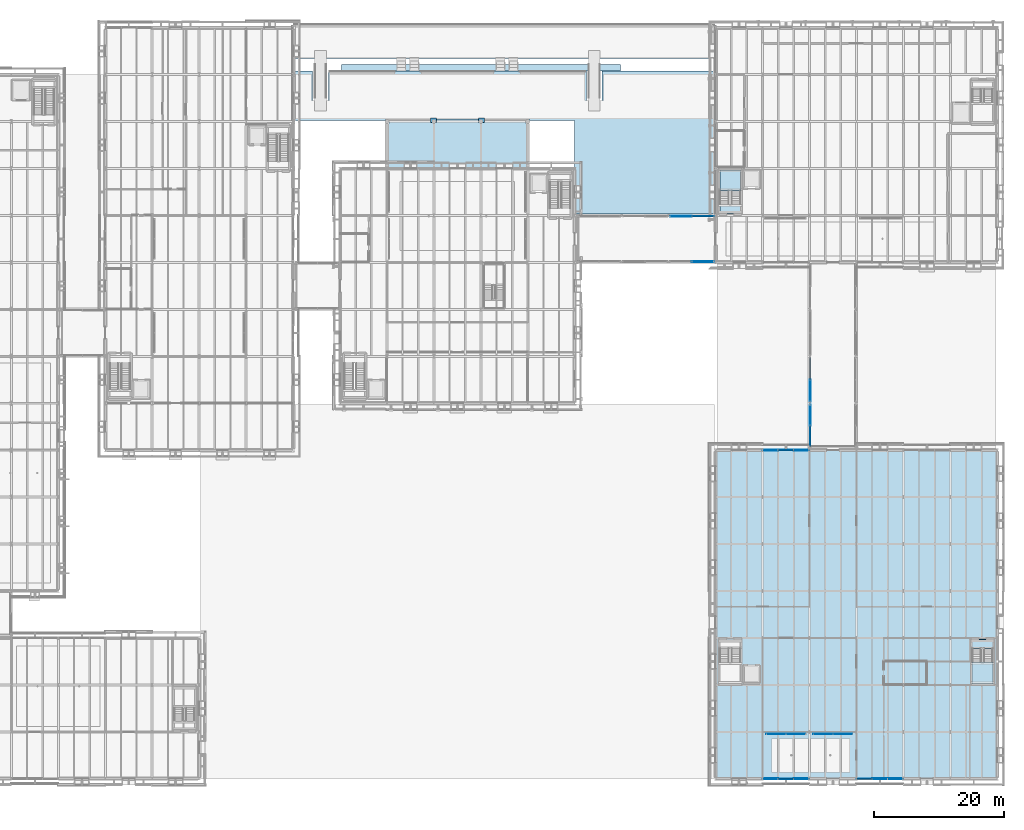
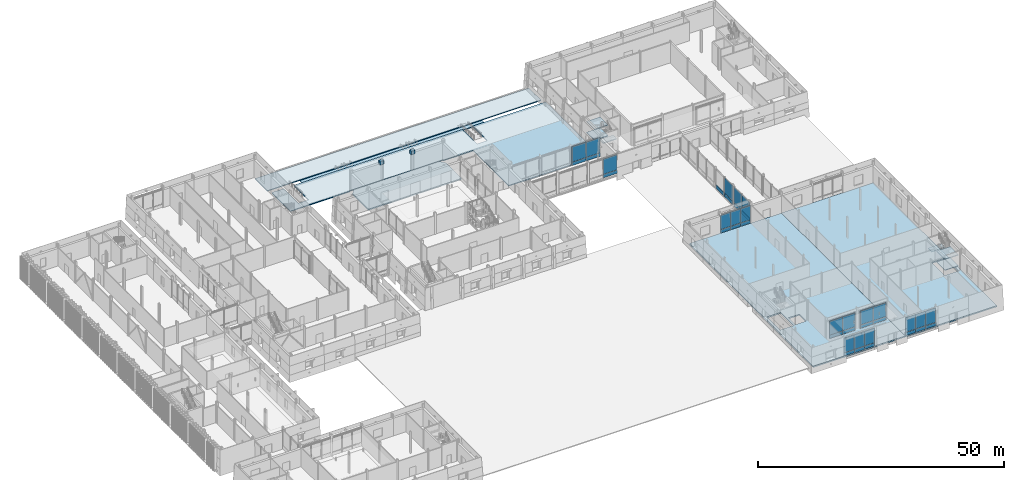
# One storey, part 62 of 120: 41 plates, 12 slabs, 11 elements without a shape of their own.
"""IFC4 building model written with IfcOpenShell, lengths in metres."""

from ifc_helpers import new_model, si_unit, direction, frame, origin, origin_2d, place, context, subcontext, project, spatial, polyline, rectangle, outline, extrude, material, layer, layer_set, type_object, element, aggregate, save


model = new_model("IFC4")

# Units and contexts
model_context = context("Model", 3, precision=1e-05, world=origin(), true_north=direction((0.0, 1.0)))
body_context = subcontext(model_context, "Body", "Model", "MODEL_VIEW")
ifc_project = project(units=[si_unit("LENGTHUNIT", "METRE"), si_unit("AREAUNIT", "SQUARE_METRE"), si_unit("VOLUMEUNIT", "CUBIC_METRE"), si_unit("PLANEANGLEUNIT", "RADIAN"), si_unit("MASSUNIT", "GRAM", prefix="KILO")], contexts=[model_context])

# Site, building, storey
site_placement = place(None, origin())
site = spatial("IfcSite", under=ifc_project, at=site_placement, CompositionType="ELEMENT")
building_placement = place(site_placement, origin())
building = spatial("IfcBuilding", under=site, at=building_placement, Name="Narikvali Park Central Library", CompositionType="ELEMENT")
storey_placement = place(building_placement, origin())
storey = spatial("IfcBuildingStorey", under=building, at=storey_placement, Name="L00", CompositionType="ELEMENT", Elevation=0.0)

# Slab
ifc_material_1 = material(Name="Concrete C35/45", Category="concrete")
ifc_layer_1 = layer(ifc_material_1, 0.179931640625, Name="Concrete C35/45")
ifc_layer_set_1 = layer_set([ifc_layer_1], Name="Concrete C35/45")
slab_type_1 = type_object("IfcSlabType", Name="Boulevard Lower Plinth Paving Slab 180", PredefinedType="USERDEFINED", material=ifc_layer_set_1)
slab_1_placement = place(storey_placement, frame((0.0, 0.0, -0.905029296875)))
element("IfcSlab", 1, at=slab_1_placement, inside=storey, type_object=slab_type_1, Name="Boulevard Grounded Forecourt Lower Promenade", ObjectType="PAVING", PredefinedType="USERDEFINED", context=body_context, shape_type="SweptSolid", body=[
    extrude(outline(polyline([(57.800048828125, 110.449951171875), (122.199951171875, 110.449951171875), (122.199951171875, 115.449951171875), (57.800048828125, 115.449951171875), (57.800048828125, 110.449951171875)])), origin(), (0.0, 0.0, 1.0), 0.179931640625),
])

# Curtain wall, plate
ifc_material_2 = material(Name="Anodised Bronze Aluminium", Category="aluminium")
ifc_layer_2 = layer(ifc_material_2, 0.219970703125, Name="Anodised Bronze Aluminium")
ifc_layer_set_2 = layer_set([ifc_layer_2], Name="Anodised Bronze Aluminium")
curtain_wall_type_1 = type_object("IfcCurtainWallType", Name="Park Cafe Colonnade Glazing System", PredefinedType="NOTDEFINED", material=ifc_layer_set_2)
curtain_wall_1_placement = place(storey_placement, origin())
curtain_wall_1 = element("IfcCurtainWall", 2, at=curtain_wall_1_placement, inside=storey, type_object=curtain_wall_type_1, Name="Park Cafe Colonnade Glazing System CW-V6-L00-S-02", PredefinedType="NOTDEFINED")
ifc_material_3 = material(Name="Anodised Bronze Acoustic Spandrel Cassette")
ifc_layer_3 = layer(ifc_material_3, 0.1650390625, Name="Anodised Bronze Acoustic Spandrel Cassette")
ifc_layer_set_3 = layer_set([ifc_layer_3], Name="Anodised Bronze Acoustic Spandrel Cassette")
plate_type_1 = type_object("IfcPlateType", Name="Curtain Wall Acoustic Plenum Louvre Cassette 165", PredefinedType="CURTAIN_PANEL", material=ifc_layer_set_3)
plate_1_placement = place(storey_placement, frame((133.199951171875, 0.0, 0.03515625), z_axis=(0.0, 0.0, 1.0), x_axis=(1.0, 0.0, 0.0)))
plate_1 = element("IfcPlate", 3, at=plate_1_placement, type_object=plate_type_1, Name="CW-V6-L00-S-02 Panel 01-0", PredefinedType="CURTAIN_PANEL", context=body_context, shape_type="SweptSolid", body=[
    extrude(rectangle(XDim=2.36474609375, YDim=0.1650390625, at=origin_2d()), origin(), (0.0, 0.0, 1.0), 0.860107421875),
])

curtain_wall_2_placement = place(storey_placement, origin())
curtain_wall_2 = element("IfcCurtainWall", 4, at=curtain_wall_2_placement, inside=storey, type_object=curtain_wall_type_1, Name="Park Cafe Colonnade Glazing System CW-V6-L00-S-04", PredefinedType="NOTDEFINED")
plate_2_placement = place(storey_placement, frame((145.225341796875, 0.0, 0.03515625), z_axis=(0.0, 0.0, 1.0), x_axis=(1.0, 0.0, 0.0)))
plate_2 = element("IfcPlate", 5, at=plate_2_placement, type_object=plate_type_1, Name="CW-V6-L00-S-04 Panel 00-0", PredefinedType="CURTAIN_PANEL", context=body_context, shape_type="SweptSolid", body=[
    extrude(rectangle(XDim=2.36474609375, YDim=0.1650390625, at=origin_2d()), origin(), (0.0, 0.0, 1.0), 0.860107421875),
])

curtain_wall_3_placement = place(storey_placement, origin())
curtain_wall_3 = element("IfcCurtainWall", 6, at=curtain_wall_3_placement, inside=storey, type_object=curtain_wall_type_1, Name="Park Cafe Colonnade Glazing System CW-V6-L00-N-05", PredefinedType="NOTDEFINED")
plate_3_placement = place(storey_placement, frame((133.199951171875, 50.39990234375, 0.03515625), z_axis=(0.0, 0.0, 1.0), x_axis=(-1.0, 0.0, 0.0)))
plate_3 = element("IfcPlate", 7, at=plate_3_placement, type_object=plate_type_1, Name="CW-V6-L00-N-05 Panel 01-0", PredefinedType="CURTAIN_PANEL", context=body_context, shape_type="SweptSolid", body=[
    extrude(rectangle(XDim=2.36474609375, YDim=0.1650390625, at=origin_2d()), origin(), (0.0, 0.0, 1.0), 0.860107421875),
])

ifc_layer_4 = layer(ifc_material_2, 0.219970703125, Name="Anodised Bronze Aluminium")
ifc_layer_set_4 = layer_set([ifc_layer_4], Name="Anodised Bronze Aluminium")
curtain_wall_type_2 = type_object("IfcCurtainWallType", Name="Bridge Covered Passage Glazing System", PredefinedType="NOTDEFINED", material=ifc_layer_set_4)
curtain_wall_4_placement = place(storey_placement, origin())
curtain_wall_4 = element("IfcCurtainWall", 8, at=curtain_wall_4_placement, inside=storey, type_object=curtain_wall_type_2, Name="Bridge Covered Passage Glazing System CW-BRG-3-L00-N3", PredefinedType="NOTDEFINED")
plate_4_placement = place(storey_placement, frame((120.43505859375, 86.280029296875, 0.03515625), z_axis=(0.0, 0.0, 1.0), x_axis=(1.0, 0.0, 0.0)))
plate_4 = element("IfcPlate", 9, at=plate_4_placement, type_object=plate_type_1, Name="CW-BRG-3-L00-N3 Panel 01-0", PredefinedType="CURTAIN_PANEL", context=body_context, shape_type="SweptSolid", body=[
    extrude(rectangle(XDim=3.320068359375, YDim=0.1650390625, at=origin_2d()), origin(), (0.0, 0.0, 1.0), 0.860107421875),
])

curtain_wall_5_placement = place(storey_placement, origin())
curtain_wall_5 = element("IfcCurtainWall", 10, at=curtain_wall_5_placement, inside=storey, type_object=curtain_wall_type_2, Name="Bridge Covered Passage Glazing System CW-BRG-4-L00-W1", PredefinedType="NOTDEFINED")
plate_5_placement = place(storey_placement, frame((136.919921875, 52.552490234375, 0.03515625), z_axis=(0.0, 0.0, 1.0), x_axis=(0.0, 1.0, 0.0)))
plate_5 = element("IfcPlate", 11, at=plate_5_placement, type_object=plate_type_1, Name="CW-BRG-4-L00-W1 Panel 00-0", PredefinedType="CURTAIN_PANEL", context=body_context, shape_type="SweptSolid", body=[
    extrude(rectangle(XDim=3.195068359375, YDim=0.1650390625, at=origin_2d()), origin(), (0.0, 0.0, 1.0), 0.860107421875),
])

curtain_wall_6_placement = place(storey_placement, origin())
curtain_wall_6 = element("IfcCurtainWall", 12, at=curtain_wall_6_placement, inside=storey, type_object=curtain_wall_type_2, Name="Bridge Covered Passage Glazing System CW-BRG-4-L00-W2", PredefinedType="NOTDEFINED")
plate_6_placement = place(storey_placement, frame((136.919921875, 62.8798828125, 0.03515625), z_axis=(0.0, 0.0, 1.0), x_axis=(0.0, 1.0, 0.0)))
plate_6 = element("IfcPlate", 13, at=plate_6_placement, type_object=plate_type_1, Name="CW-BRG-4-L00-W2 Panel 01-0", PredefinedType="CURTAIN_PANEL", context=body_context, shape_type="SweptSolid", body=[
    extrude(rectangle(XDim=3.35009765625, YDim=0.1650390625, at=origin_2d()), origin(), (0.0, 0.0, 1.0), 0.860107421875),
])

# Plate
ifc_material_4 = material(Name="Heavy Acoustic Laminated Clerestory Glazing", Category="glass")
ifc_layer_5 = layer(ifc_material_4, 0.06396484375, Name="Heavy Acoustic Laminated Clerestory Glazing")
ifc_layer_set_5 = layer_set([ifc_layer_5], Name="Heavy Acoustic Laminated Clerestory Glazing")
plate_type_2 = type_object("IfcPlateType", Name="Curtain Wall Clerestory Laminated Acoustic Glass 64", PredefinedType="CURTAIN_PANEL", material=ifc_layer_set_5)
plate_7_placement = place(storey_placement, frame((130.8251953125, 0.0, 0.905029296875), z_axis=(0.0, 0.0, 1.0), x_axis=(1.0, 0.0, 0.0)))
plate_7 = element("IfcPlate", 14, at=plate_7_placement, type_object=plate_type_2, Name="CW-V6-L00-S-02 Panel 00-1", PredefinedType="CURTAIN_PANEL", context=body_context, shape_type="SweptSolid", body=[
    extrude(rectangle(XDim=2.36474609375, YDim=0.06396484375, at=origin_2d()), origin(), (0.0, 0.0, 1.0), 3.56005859375),
])

plate_8_placement = place(storey_placement, frame((133.199951171875, 0.0, 0.905029296875), z_axis=(0.0, 0.0, 1.0), x_axis=(1.0, 0.0, 0.0)))
plate_8 = element("IfcPlate", 15, at=plate_8_placement, type_object=plate_type_2, Name="CW-V6-L00-S-02 Panel 01-1", PredefinedType="CURTAIN_PANEL", context=body_context, shape_type="SweptSolid", body=[
    extrude(rectangle(XDim=2.36474609375, YDim=0.06396484375, at=origin_2d()), origin(), (0.0, 0.0, 1.0), 3.56005859375),
])

plate_9_placement = place(storey_placement, frame((135.57470703125, 0.0, 0.905029296875), z_axis=(0.0, 0.0, 1.0), x_axis=(1.0, 0.0, 0.0)))
plate_9 = element("IfcPlate", 16, at=plate_9_placement, type_object=plate_type_2, Name="CW-V6-L00-S-02 Panel 02-1", PredefinedType="CURTAIN_PANEL", context=body_context, shape_type="SweptSolid", body=[
    extrude(rectangle(XDim=2.36474609375, YDim=0.06396484375, at=origin_2d()), origin(), (0.0, 0.0, 1.0), 3.56005859375),
])

plate_10_placement = place(storey_placement, frame((135.57470703125, 50.39990234375, 0.905029296875), z_axis=(0.0, 0.0, 1.0), x_axis=(-1.0, 0.0, 0.0)))
plate_10 = element("IfcPlate", 17, at=plate_10_placement, type_object=plate_type_2, Name="CW-V6-L00-N-05 Panel 00-1", PredefinedType="CURTAIN_PANEL", context=body_context, shape_type="SweptSolid", body=[
    extrude(rectangle(XDim=2.36474609375, YDim=0.06396484375, at=origin_2d()), origin(), (0.0, 0.0, 1.0), 3.56005859375),
])

plate_11_placement = place(storey_placement, frame((133.199951171875, 50.39990234375, 0.905029296875), z_axis=(0.0, 0.0, 1.0), x_axis=(-1.0, 0.0, 0.0)))
plate_11 = element("IfcPlate", 18, at=plate_11_placement, type_object=plate_type_2, Name="CW-V6-L00-N-05 Panel 01-1", PredefinedType="CURTAIN_PANEL", context=body_context, shape_type="SweptSolid", body=[
    extrude(rectangle(XDim=2.36474609375, YDim=0.06396484375, at=origin_2d()), origin(), (0.0, 0.0, 1.0), 3.56005859375),
])

plate_12_placement = place(storey_placement, frame((130.8251953125, 50.39990234375, 0.905029296875), z_axis=(0.0, 0.0, 1.0), x_axis=(-1.0, 0.0, 0.0)))
plate_12 = element("IfcPlate", 19, at=plate_12_placement, type_object=plate_type_2, Name="CW-V6-L00-N-05 Panel 02-1", PredefinedType="CURTAIN_PANEL", context=body_context, shape_type="SweptSolid", body=[
    extrude(rectangle(XDim=2.36474609375, YDim=0.06396484375, at=origin_2d()), origin(), (0.0, 0.0, 1.0), 3.56005859375),
])

plate_13_placement = place(storey_placement, frame((117.10498046875, 86.280029296875, 0.905029296875), z_axis=(0.0, 0.0, 1.0), x_axis=(1.0, 0.0, 0.0)))
plate_13 = element("IfcPlate", 20, at=plate_13_placement, type_object=plate_type_2, Name="CW-BRG-3-L00-N3 Panel 00-1", PredefinedType="CURTAIN_PANEL", context=body_context, shape_type="SweptSolid", body=[
    extrude(rectangle(XDim=3.320068359375, YDim=0.06396484375, at=origin_2d()), origin(), (0.0, 0.0, 1.0), 3.81005859375),
])

plate_14_placement = place(storey_placement, frame((120.43505859375, 86.280029296875, 0.905029296875), z_axis=(0.0, 0.0, 1.0), x_axis=(1.0, 0.0, 0.0)))
plate_14 = element("IfcPlate", 21, at=plate_14_placement, type_object=plate_type_2, Name="CW-BRG-3-L00-N3 Panel 01-1", PredefinedType="CURTAIN_PANEL", context=body_context, shape_type="SweptSolid", body=[
    extrude(rectangle(XDim=3.320068359375, YDim=0.06396484375, at=origin_2d()), origin(), (0.0, 0.0, 1.0), 3.81005859375),
])

plate_15_placement = place(storey_placement, frame((136.919921875, 59.52001953125, 0.905029296875), z_axis=(0.0, 0.0, 1.0), x_axis=(0.0, 1.0, 0.0)))
plate_15 = element("IfcPlate", 22, at=plate_15_placement, type_object=plate_type_2, Name="CW-BRG-4-L00-W2 Panel 00-1", PredefinedType="CURTAIN_PANEL", context=body_context, shape_type="SweptSolid", body=[
    extrude(rectangle(XDim=3.35009765625, YDim=0.06396484375, at=origin_2d()), origin(), (0.0, 0.0, 1.0), 3.81005859375),
])

# Curtain wall, plates
ifc_layer_6 = layer(ifc_material_2, 0.219970703125, Name="Anodised Bronze Aluminium")
ifc_layer_set_6 = layer_set([ifc_layer_6], Name="Anodised Bronze Aluminium")
curtain_wall_type_3 = type_object("IfcCurtainWallType", Name="Atrium Tall Curtain Wall System", PredefinedType="NOTDEFINED", material=ifc_layer_set_6)
curtain_wall_7_placement = place(storey_placement, origin())
curtain_wall_7 = element("IfcCurtainWall", 23, at=curtain_wall_7_placement, inside=storey, type_object=curtain_wall_type_3, Name="Atrium Tall Curtain Wall System CW-GAL-V6-L00-GAL-S2", PredefinedType="NOTDEFINED")
plate_16_placement = place(storey_placement, frame((138.89990234375, 6.85009765625, 0.905029296875), z_axis=(0.0, 0.0, 1.0), x_axis=(1.0, 0.0, 0.0)))
plate_16 = element("IfcPlate", 24, at=plate_16_placement, type_object=plate_type_2, Name="CW-GAL-V6-L00-GAL-S2 Panel 00-1", PredefinedType="CURTAIN_PANEL", context=body_context, shape_type="SweptSolid", body=[
    extrude(rectangle(XDim=2.989990234375, YDim=0.06396484375, at=origin_2d()), origin(), (0.0, 0.0, 1.0), 3.4599609375),
])
plate_17_placement = place(storey_placement, frame((141.89990234375, 6.85009765625, 0.905029296875), z_axis=(0.0, 0.0, 1.0), x_axis=(1.0, 0.0, 0.0)))
plate_17 = element("IfcPlate", 25, at=plate_17_placement, type_object=plate_type_2, Name="CW-GAL-V6-L00-GAL-S2 Panel 01-1", PredefinedType="CURTAIN_PANEL", context=body_context, shape_type="SweptSolid", body=[
    extrude(rectangle(XDim=2.989990234375, YDim=0.06396484375, at=origin_2d()), origin(), (0.0, 0.0, 1.0), 3.4599609375),
])

# Plate
ifc_material_5 = material(Name="Double Low-E Tempered Vision Glazing", Category="glass")
ifc_layer_7 = layer(ifc_material_5, 0.035888671875, Name="Double Low-E Tempered Vision Glazing")
ifc_layer_set_7 = layer_set([ifc_layer_7], Name="Double Low-E Tempered Vision Glazing")
plate_type_3 = type_object("IfcPlateType", Name="Curtain Wall Double Low-E Vision Glazing 36", PredefinedType="CURTAIN_PANEL", material=ifc_layer_set_7)
plate_18_placement = place(storey_placement, frame((145.225341796875, 0.0, 0.905029296875), z_axis=(0.0, 0.0, 1.0), x_axis=(1.0, 0.0, 0.0)))
plate_18 = element("IfcPlate", 26, at=plate_18_placement, type_object=plate_type_3, Name="CW-V6-L00-S-04 Panel 00-1", PredefinedType="CURTAIN_PANEL", context=body_context, shape_type="SweptSolid", body=[
    extrude(rectangle(XDim=2.36474609375, YDim=0.035888671875, at=origin_2d()), origin(), (0.0, 0.0, 1.0), 3.56005859375),
])

plate_19_placement = place(storey_placement, frame((147.60009765625, 0.0, 0.905029296875), z_axis=(0.0, 0.0, 1.0), x_axis=(1.0, 0.0, 0.0)))
plate_19 = element("IfcPlate", 27, at=plate_19_placement, type_object=plate_type_3, Name="CW-V6-L00-S-04 Panel 01-1", PredefinedType="CURTAIN_PANEL", context=body_context, shape_type="SweptSolid", body=[
    extrude(rectangle(XDim=2.36474609375, YDim=0.035888671875, at=origin_2d()), origin(), (0.0, 0.0, 1.0), 3.56005859375),
])

plate_20_placement = place(storey_placement, frame((149.974609375, 0.0, 0.905029296875), z_axis=(0.0, 0.0, 1.0), x_axis=(1.0, 0.0, 0.0)))
plate_20 = element("IfcPlate", 28, at=plate_20_placement, type_object=plate_type_3, Name="CW-V6-L00-S-04 Panel 02-1", PredefinedType="CURTAIN_PANEL", context=body_context, shape_type="SweptSolid", body=[
    extrude(rectangle(XDim=2.36474609375, YDim=0.035888671875, at=origin_2d()), origin(), (0.0, 0.0, 1.0), 3.56005859375),
])

plate_21_placement = place(storey_placement, frame((136.919921875, 52.552490234375, 0.905029296875), z_axis=(0.0, 0.0, 1.0), x_axis=(0.0, 1.0, 0.0)))
plate_21 = element("IfcPlate", 29, at=plate_21_placement, type_object=plate_type_3, Name="CW-BRG-4-L00-W1 Panel 00-1", PredefinedType="CURTAIN_PANEL", context=body_context, shape_type="SweptSolid", body=[
    extrude(rectangle(XDim=3.195068359375, YDim=0.035888671875, at=origin_2d()), origin(), (0.0, 0.0, 1.0), 3.81005859375),
])

plate_22_placement = place(storey_placement, frame((136.919921875, 55.757568359375, 0.905029296875), z_axis=(0.0, 0.0, 1.0), x_axis=(0.0, 1.0, 0.0)))
plate_22 = element("IfcPlate", 30, at=plate_22_placement, type_object=plate_type_3, Name="CW-BRG-4-L00-W1 Panel 01-1", PredefinedType="CURTAIN_PANEL", context=body_context, shape_type="SweptSolid", body=[
    extrude(rectangle(XDim=3.195068359375, YDim=0.035888671875, at=origin_2d()), origin(), (0.0, 0.0, 1.0), 3.81005859375),
])

# Curtain wall, plates
curtain_wall_8_placement = place(storey_placement, origin())
curtain_wall_8 = element("IfcCurtainWall", 31, at=curtain_wall_8_placement, inside=storey, type_object=curtain_wall_type_3, Name="Atrium Tall Curtain Wall System CW-GAL-V6-L00-GAL-S1", PredefinedType="NOTDEFINED")
plate_23_placement = place(storey_placement, frame((131.699951171875, 6.85009765625, 0.03515625), z_axis=(0.0, 0.0, 1.0), x_axis=(1.0, 0.0, 0.0)))
plate_23 = element("IfcPlate", 32, at=plate_23_placement, type_object=plate_type_3, Name="CW-GAL-V6-L00-GAL-S1 Panel 00-0", PredefinedType="CURTAIN_PANEL", context=body_context, shape_type="SweptSolid", body=[
    extrude(rectangle(XDim=2.989990234375, YDim=0.035888671875, at=origin_2d()), origin(), (0.0, 0.0, 1.0), 0.860107421875),
])
plate_24_placement = place(storey_placement, frame((134.699951171875, 6.85009765625, 0.03515625), z_axis=(0.0, 0.0, 1.0), x_axis=(1.0, 0.0, 0.0)))
plate_24 = element("IfcPlate", 33, at=plate_24_placement, type_object=plate_type_3, Name="CW-GAL-V6-L00-GAL-S1 Panel 01-0", PredefinedType="CURTAIN_PANEL", context=body_context, shape_type="SweptSolid", body=[
    extrude(rectangle(XDim=2.989990234375, YDim=0.035888671875, at=origin_2d()), origin(), (0.0, 0.0, 1.0), 0.860107421875),
])

# Plate
ifc_material_6 = material(Name="Anodised Bronze Insulated Spandrel Cassette")
ifc_layer_8 = layer(ifc_material_6, 0.110107421875, Name="Anodised Bronze Insulated Spandrel Cassette")
ifc_layer_set_8 = layer_set([ifc_layer_8], Name="Anodised Bronze Insulated Spandrel Cassette")
plate_type_4 = type_object("IfcPlateType", Name="Curtain Wall Insulated Bronze Spandrel Cassette 110", PredefinedType="CURTAIN_PANEL", material=ifc_layer_set_8)
plate_25_placement = place(storey_placement, frame((135.57470703125, 0.0, 0.03515625), z_axis=(0.0, 0.0, 1.0), x_axis=(1.0, 0.0, 0.0)))
plate_25 = element("IfcPlate", 34, at=plate_25_placement, type_object=plate_type_4, Name="CW-V6-L00-S-02 Panel 02-0", PredefinedType="CURTAIN_PANEL", context=body_context, shape_type="SweptSolid", body=[
    extrude(rectangle(XDim=2.36474609375, YDim=0.110107421875, at=origin_2d()), origin(), (0.0, 0.0, 1.0), 0.860107421875),
])

plate_26_placement = place(storey_placement, frame((147.60009765625, 0.0, 0.03515625), z_axis=(0.0, 0.0, 1.0), x_axis=(1.0, 0.0, 0.0)))
plate_26 = element("IfcPlate", 35, at=plate_26_placement, type_object=plate_type_4, Name="CW-V6-L00-S-04 Panel 01-0", PredefinedType="CURTAIN_PANEL", context=body_context, shape_type="SweptSolid", body=[
    extrude(rectangle(XDim=2.36474609375, YDim=0.110107421875, at=origin_2d()), origin(), (0.0, 0.0, 1.0), 0.860107421875),
])

plate_27_placement = place(storey_placement, frame((130.8251953125, 50.39990234375, 0.03515625), z_axis=(0.0, 0.0, 1.0), x_axis=(-1.0, 0.0, 0.0)))
plate_27 = element("IfcPlate", 36, at=plate_27_placement, type_object=plate_type_4, Name="CW-V6-L00-N-05 Panel 02-0", PredefinedType="CURTAIN_PANEL", context=body_context, shape_type="SweptSolid", body=[
    extrude(rectangle(XDim=2.36474609375, YDim=0.110107421875, at=origin_2d()), origin(), (0.0, 0.0, 1.0), 0.860107421875),
])

plate_28_placement = place(storey_placement, frame((136.919921875, 55.757568359375, 0.03515625), z_axis=(0.0, 0.0, 1.0), x_axis=(0.0, 1.0, 0.0)))
plate_28 = element("IfcPlate", 37, at=plate_28_placement, type_object=plate_type_4, Name="CW-BRG-4-L00-W1 Panel 01-0", PredefinedType="CURTAIN_PANEL", context=body_context, shape_type="SweptSolid", body=[
    extrude(rectangle(XDim=3.195068359375, YDim=0.110107421875, at=origin_2d()), origin(), (0.0, 0.0, 1.0), 0.860107421875),
])

aggregate(curtain_wall_5, [plate_5, plate_21, plate_28, plate_22])

ifc_material_7 = material(Name="Mineral-Wool Shadow-Box Spandrel Assembly")
ifc_layer_9 = layer(ifc_material_7, 0.139892578125, Name="Mineral-Wool Shadow-Box Spandrel Assembly")
ifc_layer_set_9 = layer_set([ifc_layer_9], Name="Mineral-Wool Shadow-Box Spandrel Assembly")
plate_type_5 = type_object("IfcPlateType", Name="Curtain Wall Shadow-Box Mineral Spandrel Panel 140", PredefinedType="CURTAIN_PANEL", material=ifc_layer_set_9)
plate_29_placement = place(storey_placement, frame((130.8251953125, 0.0, 0.03515625), z_axis=(0.0, 0.0, 1.0), x_axis=(1.0, 0.0, 0.0)))
plate_29 = element("IfcPlate", 38, at=plate_29_placement, type_object=plate_type_5, Name="CW-V6-L00-S-02 Panel 00-0", PredefinedType="CURTAIN_PANEL", context=body_context, shape_type="SweptSolid", body=[
    extrude(rectangle(XDim=2.36474609375, YDim=0.139892578125, at=origin_2d()), origin(), (0.0, 0.0, 1.0), 0.860107421875),
])

aggregate(curtain_wall_1, [plate_29, plate_7, plate_1, plate_8, plate_25, plate_9])

plate_30_placement = place(storey_placement, frame((149.974609375, 0.0, 0.03515625), z_axis=(0.0, 0.0, 1.0), x_axis=(1.0, 0.0, 0.0)))
plate_30 = element("IfcPlate", 39, at=plate_30_placement, type_object=plate_type_5, Name="CW-V6-L00-S-04 Panel 02-0", PredefinedType="CURTAIN_PANEL", context=body_context, shape_type="SweptSolid", body=[
    extrude(rectangle(XDim=2.36474609375, YDim=0.139892578125, at=origin_2d()), origin(), (0.0, 0.0, 1.0), 0.860107421875),
])

aggregate(curtain_wall_2, [plate_2, plate_18, plate_26, plate_19, plate_30, plate_20])

plate_31_placement = place(storey_placement, frame((135.57470703125, 50.39990234375, 0.03515625), z_axis=(0.0, 0.0, 1.0), x_axis=(-1.0, 0.0, 0.0)))
plate_31 = element("IfcPlate", 40, at=plate_31_placement, type_object=plate_type_5, Name="CW-V6-L00-N-05 Panel 00-0", PredefinedType="CURTAIN_PANEL", context=body_context, shape_type="SweptSolid", body=[
    extrude(rectangle(XDim=2.36474609375, YDim=0.139892578125, at=origin_2d()), origin(), (0.0, 0.0, 1.0), 0.860107421875),
])

aggregate(curtain_wall_3, [plate_31, plate_10, plate_3, plate_11, plate_27, plate_12])

# Curtain wall, plate
curtain_wall_9_placement = place(storey_placement, origin())
curtain_wall_9 = element("IfcCurtainWall", 41, at=curtain_wall_9_placement, inside=storey, type_object=curtain_wall_type_2, Name="Bridge Covered Passage Glazing System CW-BRG-3-L00-S3", PredefinedType="NOTDEFINED")
plate_32_placement = place(storey_placement, frame((120.43505859375, 79.320068359375, 0.03515625), z_axis=(0.0, 0.0, 1.0), x_axis=(1.0, 0.0, 0.0)))
plate_32 = element("IfcPlate", 42, at=plate_32_placement, type_object=plate_type_5, Name="CW-BRG-3-L00-S3 Panel 01-0", PredefinedType="CURTAIN_PANEL", context=body_context, shape_type="SweptSolid", body=[
    extrude(rectangle(XDim=3.320068359375, YDim=0.139892578125, at=origin_2d()), origin(), (0.0, 0.0, 1.0), 0.860107421875),
])

# Plate
plate_33_placement = place(storey_placement, frame((117.10498046875, 86.280029296875, 0.03515625), z_axis=(0.0, 0.0, 1.0), x_axis=(1.0, 0.0, 0.0)))
plate_33 = element("IfcPlate", 43, at=plate_33_placement, type_object=plate_type_5, Name="CW-BRG-3-L00-N3 Panel 00-0", PredefinedType="CURTAIN_PANEL", context=body_context, shape_type="SweptSolid", body=[
    extrude(rectangle(XDim=3.320068359375, YDim=0.139892578125, at=origin_2d()), origin(), (0.0, 0.0, 1.0), 0.860107421875),
])

aggregate(curtain_wall_4, [plate_33, plate_13, plate_4, plate_14])

plate_34_placement = place(storey_placement, frame((136.919921875, 59.52001953125, 0.03515625), z_axis=(0.0, 0.0, 1.0), x_axis=(0.0, 1.0, 0.0)))
plate_34 = element("IfcPlate", 44, at=plate_34_placement, type_object=plate_type_5, Name="CW-BRG-4-L00-W2 Panel 00-0", PredefinedType="CURTAIN_PANEL", context=body_context, shape_type="SweptSolid", body=[
    extrude(rectangle(XDim=3.35009765625, YDim=0.139892578125, at=origin_2d()), origin(), (0.0, 0.0, 1.0), 0.860107421875),
])

aggregate(curtain_wall_6, [plate_34, plate_15, plate_6])

ifc_material_8 = material(Name="Triple Low-E Acoustic Laminated Glazing", Category="glass")
ifc_layer_10 = layer(ifc_material_8, 0.048095703125, Name="Triple Low-E Acoustic Laminated Glazing")
ifc_layer_set_10 = layer_set([ifc_layer_10], Name="Triple Low-E Acoustic Laminated Glazing")
plate_type_6 = type_object("IfcPlateType", Name="Curtain Wall Triple Solar-Acoustic Glazing 48", PredefinedType="CURTAIN_PANEL", material=ifc_layer_set_10)
plate_35_placement = place(storey_placement, frame((120.43505859375, 79.320068359375, 0.905029296875), z_axis=(0.0, 0.0, 1.0), x_axis=(1.0, 0.0, 0.0)))
plate_35 = element("IfcPlate", 45, at=plate_35_placement, type_object=plate_type_6, Name="CW-BRG-3-L00-S3 Panel 01-1", PredefinedType="CURTAIN_PANEL", context=body_context, shape_type="SweptSolid", body=[
    extrude(rectangle(XDim=3.320068359375, YDim=0.048095703125, at=origin_2d()), origin(), (0.0, 0.0, 1.0), 3.81005859375),
])

aggregate(curtain_wall_9, [plate_32, plate_35])

plate_36_placement = place(storey_placement, frame((131.699951171875, 6.85009765625, 0.905029296875), z_axis=(0.0, 0.0, 1.0), x_axis=(1.0, 0.0, 0.0)))
plate_36 = element("IfcPlate", 46, at=plate_36_placement, type_object=plate_type_6, Name="CW-GAL-V6-L00-GAL-S1 Panel 00-1", PredefinedType="CURTAIN_PANEL", context=body_context, shape_type="SweptSolid", body=[
    extrude(rectangle(XDim=2.989990234375, YDim=0.048095703125, at=origin_2d()), origin(), (0.0, 0.0, 1.0), 3.4599609375),
])

plate_37_placement = place(storey_placement, frame((134.699951171875, 6.85009765625, 0.905029296875), z_axis=(0.0, 0.0, 1.0), x_axis=(1.0, 0.0, 0.0)))
plate_37 = element("IfcPlate", 47, at=plate_37_placement, type_object=plate_type_6, Name="CW-GAL-V6-L00-GAL-S1 Panel 01-1", PredefinedType="CURTAIN_PANEL", context=body_context, shape_type="SweptSolid", body=[
    extrude(rectangle(XDim=2.989990234375, YDim=0.048095703125, at=origin_2d()), origin(), (0.0, 0.0, 1.0), 3.4599609375),
])

aggregate(curtain_wall_8, [plate_23, plate_36, plate_24, plate_37])

plate_38_placement = place(storey_placement, frame((138.89990234375, 6.85009765625, 0.03515625), z_axis=(0.0, 0.0, 1.0), x_axis=(1.0, 0.0, 0.0)))
plate_38 = element("IfcPlate", 48, at=plate_38_placement, type_object=plate_type_6, Name="CW-GAL-V6-L00-GAL-S2 Panel 00-0", PredefinedType="CURTAIN_PANEL", context=body_context, shape_type="SweptSolid", body=[
    extrude(rectangle(XDim=2.989990234375, YDim=0.048095703125, at=origin_2d()), origin(), (0.0, 0.0, 1.0), 0.860107421875),
])

plate_39_placement = place(storey_placement, frame((141.89990234375, 6.85009765625, 0.03515625), z_axis=(0.0, 0.0, 1.0), x_axis=(1.0, 0.0, 0.0)))
plate_39 = element("IfcPlate", 49, at=plate_39_placement, type_object=plate_type_6, Name="CW-GAL-V6-L00-GAL-S2 Panel 01-0", PredefinedType="CURTAIN_PANEL", context=body_context, shape_type="SweptSolid", body=[
    extrude(rectangle(XDim=2.989990234375, YDim=0.048095703125, at=origin_2d()), origin(), (0.0, 0.0, 1.0), 0.860107421875),
])

aggregate(curtain_wall_7, [plate_38, plate_16, plate_39, plate_17])

# Slabs
ifc_layer_11 = layer(ifc_material_1, 0.195068359375, Name="Concrete C35/45")
ifc_layer_set_11 = layer_set([ifc_layer_11], Name="Concrete C35/45")
slab_type_2 = type_object("IfcSlabType", Name="Forecourt Step Paving Slab 195", PredefinedType="BASESLAB", material=ifc_layer_set_11)
slab_2_placement = place(storey_placement, frame((0.0, 0.0, -0.35498046875)))
element("IfcSlab", 50, at=slab_2_placement, inside=storey, type_object=slab_type_2, Name="Forecourt Stair Structural Sub-Slab", PredefinedType="BASESLAB", context=body_context, shape_type="SweptSolid", body=[
    extrude(outline(polyline([(65.0, 108.56005859375), (107.800048828125, 108.56005859375), (107.800048828125, 109.550048828125), (65.0, 109.550048828125), (65.0, 108.56005859375)])), origin(), (0.0, 0.0, 1.0), 0.195068359375),
])
ifc_layer_12 = layer(ifc_material_1, 0.219970703125, Name="Concrete C35/45")
ifc_layer_set_12 = layer_set([ifc_layer_12], Name="Concrete C35/45")
slab_type_3 = type_object("IfcSlabType", Name="Forecourt Stepped Terrace Slab 220", PredefinedType="USERDEFINED", material=ifc_layer_set_12)
slab_3_placement = place(storey_placement, frame((0.0, 0.0, -0.219970703125)))
element("IfcSlab", 51, at=slab_3_placement, inside=storey, type_object=slab_type_3, Name="Stepped Forecourt Upper Civic Terrace", ObjectType="PAVING", PredefinedType="USERDEFINED", context=body_context, shape_type="SweptSolid", body=[
    extrude(outline(polyline([(57.800048828125, 101.0), (71.800048828125, 101.0), (71.800048828125, 101.199951171875), (93.800048828125, 101.199951171875), (93.800048828125, 101.0), (100.800048828125, 101.0), (100.800048828125, 86.60009765625), (122.199951171875, 86.60009765625), (122.199951171875, 108.550048828125), (105.0, 108.550048828125), (105.0, 102.60009765625), (102.60009765625, 102.60009765625), (102.60009765625, 108.550048828125), (63.0, 108.550048828125), (63.0, 102.60009765625), (60.60009765625, 102.60009765625), (60.60009765625, 108.550048828125), (57.800048828125, 108.550048828125), (57.800048828125, 101.0)])), origin(), (0.0, 0.0, 1.0), 0.219970703125),
])
ifc_layer_13 = layer(ifc_material_1, 0.320068359375, Name="Concrete C35/45")
ifc_layer_set_13 = layer_set([ifc_layer_13], Name="Concrete C35/45")
slab_type_4 = type_object("IfcSlabType", Name="Ground Plinth Composite Slab 320", PredefinedType="FLOOR", material=ifc_layer_set_13)
slab_4_placement = place(storey_placement, frame((0.0, 0.0, -0.320068359375)))
element("IfcSlab", 52, at=slab_4_placement, inside=storey, type_object=slab_type_4, Name="V6 L00 Structural Slab Panel 1", PredefinedType="FLOOR", context=body_context, shape_type="SweptSolid", body=[
    extrude(outline(polyline([(122.39990234375, 0.0), (144.0, 0.0), (144.0, 50.39990234375), (122.39990234375, 50.39990234375), (122.39990234375, 0.0)]), holes=[polyline([(123.050048828125, 14.550048828125), (126.25, 14.550048828125), (126.25, 19.89990234375), (123.050048828125, 19.89990234375), (123.050048828125, 14.550048828125)]), polyline([(126.64990234375, 14.64990234375), (129.199951171875, 14.64990234375), (129.199951171875, 17.449951171875), (126.64990234375, 17.449951171875), (126.64990234375, 14.64990234375)])]), origin(), (0.0, 0.0, 1.0), 0.320068359375),
])
slab_5_placement = place(storey_placement, frame((0.0, 0.0, -0.320068359375)))
element("IfcSlab", 53, at=slab_5_placement, inside=storey, type_object=slab_type_4, Name="V6 L00 Structural Slab Panel 2", PredefinedType="FLOOR", context=body_context, shape_type="SweptSolid", body=[
    extrude(outline(polyline([(144.0, 0.0), (165.60009765625, 0.0), (165.60009765625, 50.39990234375), (144.0, 50.39990234375), (144.0, 0.0)]), holes=[polyline([(161.75, 14.550048828125), (164.949951171875, 14.550048828125), (164.949951171875, 19.89990234375), (161.75, 19.89990234375), (161.75, 14.550048828125)])]), origin(), (0.0, 0.0, 1.0), 0.320068359375),
])
slab_6_placement = place(storey_placement, frame((0.0, 0.0, -0.320068359375)))
element("IfcSlab", 54, at=slab_6_placement, inside=storey, type_object=slab_type_4, Name="Entrance Arch L00 Canopy Slab", PredefinedType="FLOOR", context=body_context, shape_type="SweptSolid", body=[
    extrude(outline(polyline([(71.85009765625, 93.60009765625), (93.75, 93.60009765625), (93.75, 100.0), (92.800048828125, 101.179931640625), (72.800048828125, 101.179931640625), (71.85009765625, 100.0), (71.85009765625, 93.60009765625)])), origin(), (0.0, 0.0, 1.0), 0.320068359375),
])

# Plates
ifc_material_9 = material(Name="Kiln-Fired Terracotta Red Brick Masonry", Category="masonry")
ifc_layer_14 = layer(ifc_material_9, 0.679931640625, Name="Kiln-Fired Terracotta Red Brick Masonry")
ifc_layer_set_14 = layer_set([ifc_layer_14], Name="Kiln-Fired Terracotta Red Brick Masonry")
plate_type_7 = type_object("IfcPlateType", Name="Red Brick Entrance Arch Voussoir", PredefinedType="SHEET", material=ifc_layer_set_14)
for number, where, z_axis, x_axis, name in (
    (55, (79.126953125, 100.97998046875, 4.2958984375), (0.0, 0.0, 1.0), (1.0, 0.0, 0.0), "Entrance Portal Red Brick Arch Voussoir 01"),
    (56, (86.472900390625, 100.97998046875, 4.2958984375), (0.0, 0.0, 1.0), (1.0, 0.0, 0.0), "Entrance Portal Red Brick Arch Voussoir 13"),
):
    element("IfcPlate", number, at=place(storey_placement, frame(where, z_axis=z_axis, x_axis=x_axis)), inside=storey, type_object=plate_type_7, Name=name, PredefinedType="SHEET", context=body_context, shape_type="SweptSolid", body=[
        extrude(rectangle(XDim=0.919921875, YDim=0.679931640625, at=origin_2d()), origin(), (0.0, 0.0, 1.0), 0.800048828125),
    ])

# Stair, slabs
stair_type = type_object("IfcStairType", Name="Core Enclosed Two-Flight Exit Stair", PredefinedType="HALF_TURN_STAIR", material=ifc_material_1)
stair_1_placement = place(storey_placement, origin())
stair_1 = element("IfcStair", 57, at=stair_1_placement, inside=storey, type_object=stair_type, Name="L00 Exit Stair ST-05", PredefinedType="HALF_TURN_STAIR")
ifc_layer_15 = layer(ifc_material_1, 0.199951171875, Name="Concrete C35/45")
ifc_layer_set_15 = layer_set([ifc_layer_15], Name="Concrete C35/45")
slab_type_5 = type_object("IfcSlabType", Name="Stair Half-Landing Concrete Slab 200", PredefinedType="LANDING", material=ifc_layer_set_15)
slab_7_placement = place(storey_placement, frame((0.0, 0.0, 1.14990234375)))
slab_7 = element("IfcSlab", 58, at=slab_7_placement, type_object=slab_type_5, Name="ST-05 landing 1", PredefinedType="LANDING", context=body_context, shape_type="SweptSolid", body=[
    extrude(outline(polyline([(126.25, 90.14501953125), (126.25, 93.39990234375), (123.050048828125, 93.39990234375), (123.050048828125, 90.14501953125), (126.25, 90.14501953125)])), origin(), (0.0, 0.0, 1.0), 0.2001953125),
])
slab_8_placement = place(storey_placement, frame((0.0, 0.0, 2.5)))
slab_8 = element("IfcSlab", 59, at=slab_8_placement, type_object=slab_type_5, Name="ST-05 landing 2", PredefinedType="LANDING", context=body_context, shape_type="SweptSolid", body=[
    extrude(outline(polyline([(126.25, 86.699951171875), (126.25, 88.14990234375), (123.050048828125, 88.14990234375), (123.050048828125, 86.699951171875), (126.25, 86.699951171875)])), origin(), (0.0, 0.0, 1.0), 0.199951171875),
])
slab_9_placement = place(storey_placement, frame((0.0, 0.0, 3.85009765625)))
slab_9 = element("IfcSlab", 60, at=slab_9_placement, type_object=slab_type_5, Name="ST-05 landing 3", PredefinedType="LANDING", context=body_context, shape_type="SweptSolid", body=[
    extrude(outline(polyline([(126.25, 90.14501953125), (126.25, 93.39990234375), (123.050048828125, 93.39990234375), (123.050048828125, 90.14501953125), (126.25, 90.14501953125)])), origin(), (0.0, 0.0, 1.0), 0.199951171875),
])
aggregate(stair_1, [slab_7, slab_8, slab_9])

stair_2_placement = place(storey_placement, origin())
stair_2 = element("IfcStair", 61, at=stair_2_placement, inside=storey, type_object=stair_type, Name="L00 Exit Stair ST-12", PredefinedType="HALF_TURN_STAIR")
slab_10_placement = place(storey_placement, frame((0.0, 0.0, 1.14990234375)))
slab_10 = element("IfcSlab", 62, at=slab_10_placement, type_object=slab_type_5, Name="ST-12 landing 1", PredefinedType="LANDING", context=body_context, shape_type="SweptSolid", body=[
    extrude(outline(polyline([(161.75, 17.905029296875), (161.75, 14.550048828125), (164.949951171875, 14.550048828125), (164.949951171875, 17.905029296875), (161.75, 17.905029296875)])), origin(), (0.0, 0.0, 1.0), 0.2001953125),
])
slab_11_placement = place(storey_placement, frame((0.0, 0.0, 2.5)))
slab_11 = element("IfcSlab", 63, at=slab_11_placement, type_object=slab_type_5, Name="ST-12 landing 2", PredefinedType="LANDING", context=body_context, shape_type="SweptSolid", body=[
    extrude(outline(polyline([(161.75, 21.35009765625), (161.75, 19.89990234375), (164.949951171875, 19.89990234375), (164.949951171875, 21.35009765625), (161.75, 21.35009765625)])), origin(), (0.0, 0.0, 1.0), 0.199951171875),
])
slab_12_placement = place(storey_placement, frame((0.0, 0.0, 3.85009765625)))
slab_12 = element("IfcSlab", 64, at=slab_12_placement, type_object=slab_type_5, Name="ST-12 landing 3", PredefinedType="LANDING", context=body_context, shape_type="SweptSolid", body=[
    extrude(outline(polyline([(161.75, 17.905029296875), (161.75, 14.550048828125), (164.949951171875, 14.550048828125), (164.949951171875, 17.905029296875), (161.75, 17.905029296875)])), origin(), (0.0, 0.0, 1.0), 0.199951171875),
])
aggregate(stair_2, [slab_10, slab_11, slab_12])

save(model, "model.ifc")
